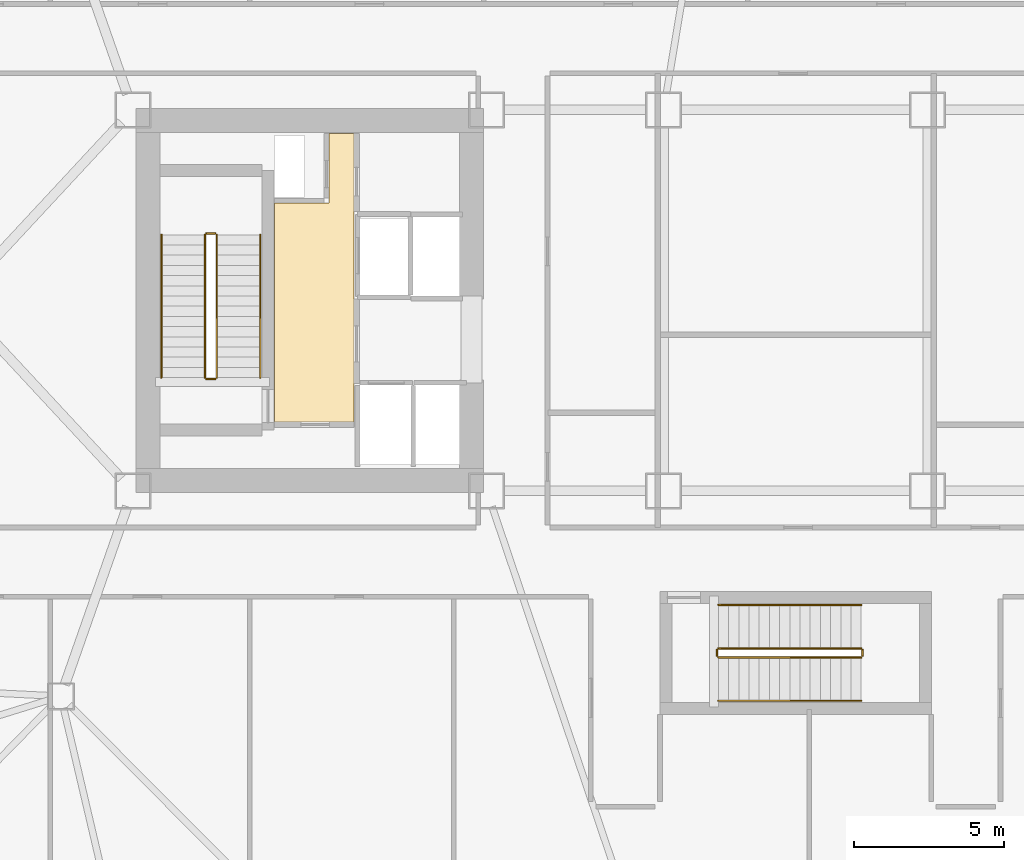
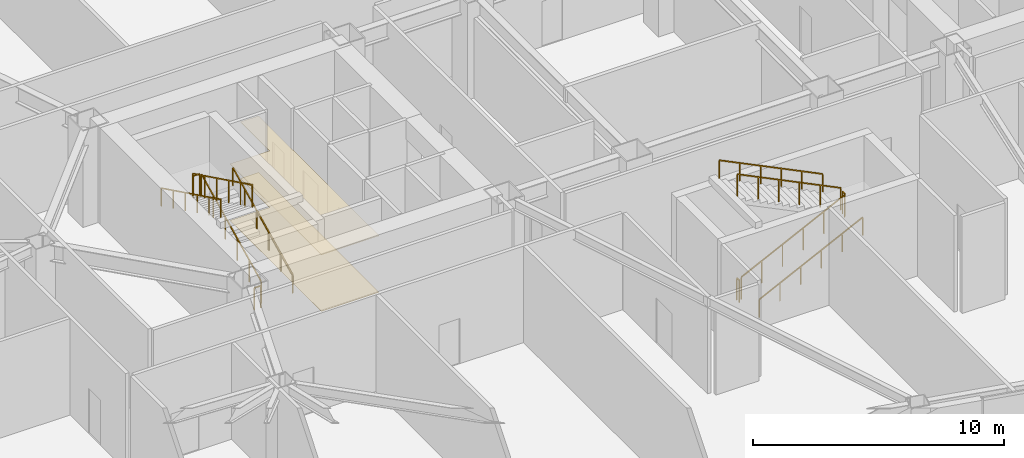
# One storey, part 19 of 20: 12 railings, 2 coverings.
"""IFC4 building model written with IfcOpenShell, lengths in metres."""

from ifc_helpers import new_model, si_unit, direction, frame, origin, origin_2d, place, context, subcontext, project, spatial, polyline, rectangle, outline, extrude, material, layer, layer_set, type_object, element, save


model = new_model("IFC4")

# Units and contexts
model_context = context("Model", 3, precision=1e-05, world=origin(), true_north=direction((0.0, 1.0)))
body_context = subcontext(model_context, "Body", "Model", "MODEL_VIEW")
ifc_project = project(units=[si_unit("LENGTHUNIT", "METRE"), si_unit("AREAUNIT", "SQUARE_METRE"), si_unit("VOLUMEUNIT", "CUBIC_METRE"), si_unit("PLANEANGLEUNIT", "RADIAN"), si_unit("MASSUNIT", "GRAM", prefix="KILO")], contexts=[model_context])

# Site, building, storey
site_placement = place(None, origin())
site = spatial("IfcSite", under=ifc_project, at=site_placement, CompositionType="ELEMENT")
building_placement = place(site_placement, origin())
building = spatial("IfcBuilding", under=site, at=building_placement, Name="Tavrogorsk Clinical Tower", CompositionType="ELEMENT")
storey_placement = place(building_placement, frame((0.0, 0.0, 18.39990234375)))
storey = spatial("IfcBuildingStorey", under=building, at=storey_placement, Name="L03", CompositionType="ELEMENT", Elevation=18.39990234375)

# Coverings
ifc_material_1 = material(Name="Antibacterial micro-perforated aluminium ceiling", Category="aluminium")
ifc_layer_1 = layer(ifc_material_1, 0.014892578125)
ifc_layer_set_1 = layer_set([ifc_layer_1], Name="Antibacterial micro-perforated aluminium ceiling")
covering_type_1 = type_object("IfcCoveringType", Name="ClinicalCeiling_15", PredefinedType="CEILING", material=ifc_layer_set_1)
covering_1_placement = place(storey_placement, frame((0.0, 0.0, 2.75)))
element("IfcCovering", 1, at=covering_1_placement, inside=storey, type_object=covering_type_1, Name="Core West Firefighting Lift Lobby Acoustic Ceiling", PredefinedType="CEILING", context=body_context, shape_type="SweptSolid", body=[
    extrude(outline(polyline([(-14.719970703125, 5.56005859375), (-14.719970703125, -4.06005859375), (-17.3798828125, -4.06005859375), (-17.3798828125, 3.239990234375), (-15.56005859375, 3.239990234375), (-15.56005859375, 5.56005859375), (-14.719970703125, 5.56005859375)])), origin(), (0.0, 0.0, 1.0), 0.01513671875),
])
ifc_material_2 = material(Name="Homogeneous medical conductive PVC flooring")
ifc_layer_2 = layer(ifc_material_2, 0.008056640625)
ifc_layer_set_2 = layer_set([ifc_layer_2], Name="Homogeneous medical conductive PVC flooring")
covering_type_2 = type_object("IfcCoveringType", Name="ResilientVinylFloor_8", PredefinedType="FLOORING", material=ifc_layer_set_2)
covering_2_placement = place(storey_placement, origin())
element("IfcCovering", 2, at=covering_2_placement, inside=storey, type_object=covering_type_2, Name="Core West Firefighting Lift Lobby Conductive Vinyl Flooring", PredefinedType="FLOORING", context=body_context, shape_type="SweptSolid", body=[
    extrude(outline(polyline([(-14.719970703125, 5.56005859375), (-14.719970703125, -4.06005859375), (-17.3798828125, -4.06005859375), (-17.3798828125, 3.239990234375), (-15.56005859375, 3.239990234375), (-15.56005859375, 5.56005859375), (-14.719970703125, 5.56005859375)])), origin(), (0.0, 0.0, 1.0), 0.008056640625),
])

# Railings
ifc_material_3 = material(Name="Galvanised steel S355 safety stairwell guard", Category="steel")
ifc_layer_3 = layer(ifc_material_3, 0.06005859375)
ifc_layer_set_3 = layer_set([ifc_layer_3], Name="Galvanised steel S355 safety stairwell guard")
railing_type_1 = type_object("IfcRailingType", Name="StairGuard_1150", PredefinedType="GUARDRAIL", material=ifc_layer_set_3)
railing_1_placement = place(storey_placement, frame((-19.300048828125, -2.574951171875, 0.166748046875)))
element("IfcRailing", 3, at=railing_1_placement, inside=storey, type_object=railing_type_1, Name="L03 ST-W stair guard 1", PredefinedType="GUARDRAIL", context=body_context, shape_type="SweptSolid", body=[
    extrude(rectangle(XDim=0.048095703125, YDim=0.048095703125, at=origin_2d()), frame((0.0, 0.0, 1.076171875), z_axis=(0.0, 0.897927146867, 0.440144111535), x_axis=(-1.0, 0.0, 0.0)), (0.0, 0.0, 1.0), 5.301025390625),
    extrude(rectangle(XDim=0.0419921875, YDim=0.0419921875, at=origin_2d()), origin(), (0.0, 0.0, 1.0), 1.052001953125),
    extrude(rectangle(XDim=0.0419921875, YDim=0.0419921875, at=origin_2d()), frame((0.0, 0.951904296875, 0.466552734375)), (0.0, 0.0, 1.0), 1.052001953125),
    extrude(rectangle(XDim=0.0419921875, YDim=0.0419921875, at=origin_2d()), frame((0.0, 1.904052734375, 0.933349609375)), (0.0, 0.0, 1.0), 1.052001953125),
    extrude(rectangle(XDim=0.0419921875, YDim=0.0419921875, at=origin_2d()), frame((0.0, 2.85595703125, 1.39990234375)), (0.0, 0.0, 1.0), 1.052001953125),
    extrude(rectangle(XDim=0.0419921875, YDim=0.0419921875, at=origin_2d()), frame((0.0, 3.80810546875, 1.86669921875)), (0.0, 0.0, 1.0), 1.052001953125),
    extrude(rectangle(XDim=0.0419921875, YDim=0.0419921875, at=origin_2d()), frame((0.0, 4.760009765625, 2.333251953125)), (0.0, 0.0, 1.0), 1.052001953125),
])
railing_2_placement = place(storey_placement, frame((-19.35009765625, 2.235107421875, 2.5)))
element("IfcRailing", 4, at=railing_2_placement, inside=storey, type_object=railing_type_1, Name="L03 ST-W stair guard 2", PredefinedType="GUARDRAIL", context=body_context, shape_type="SweptSolid", body=[
    extrude(rectangle(XDim=0.048095703125, YDim=0.048095703125, at=origin_2d()), frame((0.0, 0.0, 1.076171875), z_axis=(-1.0, 0.0, 0.0), x_axis=(0.0, -1.0, 0.0)), (0.0, 0.0, 1.0), 0.2998046875),
    extrude(rectangle(XDim=0.0419921875, YDim=0.0419921875, at=origin_2d()), origin(), (0.0, 0.0, 1.0), 1.052001953125),
    extrude(rectangle(XDim=0.0419921875, YDim=0.0419921875, at=origin_2d()), frame((-0.2998046875, 0.0, 0.0)), (0.0, 0.0, 1.0), 1.052001953125),
])
railing_3_placement = place(storey_placement, frame((-19.699951171875, 2.18505859375, 2.666748046875)))
element("IfcRailing", 5, at=railing_3_placement, inside=storey, type_object=railing_type_1, Name="L03 ST-W stair guard 3", PredefinedType="GUARDRAIL", context=body_context, shape_type="SweptSolid", body=[
    extrude(rectangle(XDim=0.048095703125, YDim=0.048095703125, at=origin_2d()), frame((0.0, 0.0, 1.076171875), z_axis=(0.0, -0.897927146867, 0.440144111535), x_axis=(1.0, 0.0, 0.0)), (0.0, 0.0, 1.0), 5.301025390625),
    extrude(rectangle(XDim=0.0419921875, YDim=0.0419921875, at=origin_2d()), origin(), (0.0, 0.0, 1.0), 1.052001953125),
    extrude(rectangle(XDim=0.0419921875, YDim=0.0419921875, at=origin_2d()), frame((0.0, -0.951904296875, 0.466552734375)), (0.0, 0.0, 1.0), 1.052001953125),
    extrude(rectangle(XDim=0.0419921875, YDim=0.0419921875, at=origin_2d()), frame((0.0, -1.904052734375, 0.933349609375)), (0.0, 0.0, 1.0), 1.052001953125),
    extrude(rectangle(XDim=0.0419921875, YDim=0.0419921875, at=origin_2d()), frame((0.0, -2.85595703125, 1.39990234375)), (0.0, 0.0, 1.0), 1.052001953125),
    extrude(rectangle(XDim=0.0419921875, YDim=0.0419921875, at=origin_2d()), frame((0.0, -3.80810546875, 1.86669921875)), (0.0, 0.0, 1.0), 1.052001953125),
    extrude(rectangle(XDim=0.0419921875, YDim=0.0419921875, at=origin_2d()), frame((0.0, -4.760009765625, 2.333251953125)), (0.0, 0.0, 1.0), 1.052001953125),
])
railing_4_placement = place(storey_placement, frame((-19.35009765625, -2.625, 0.0)))
element("IfcRailing", 6, at=railing_4_placement, inside=storey, type_object=railing_type_1, Name="L03 ST-W stair guard 4", PredefinedType="GUARDRAIL", context=body_context, shape_type="SweptSolid", body=[
    extrude(rectangle(XDim=0.048095703125, YDim=0.048095703125, at=origin_2d()), frame((0.0, 0.0, 1.076171875), z_axis=(-1.0, 0.0, 0.0), x_axis=(0.0, -1.0, 0.0)), (0.0, 0.0, 1.0), 0.2998046875),
    extrude(rectangle(XDim=0.0419921875, YDim=0.0419921875, at=origin_2d()), origin(), (0.0, 0.0, 1.0), 1.052001953125),
    extrude(rectangle(XDim=0.0419921875, YDim=0.0419921875, at=origin_2d()), frame((-0.2998046875, 0.0, 0.0)), (0.0, 0.0, 1.0), 1.052001953125),
])
railing_5_placement = place(storey_placement, frame((-2.574951171875, -11.89990234375, 0.166748046875)))
element("IfcRailing", 7, at=railing_5_placement, inside=storey, type_object=railing_type_1, Name="L03 ST-P stair guard 1", PredefinedType="GUARDRAIL", context=body_context, shape_type="SweptSolid", body=[
    extrude(rectangle(XDim=0.048095703125, YDim=0.048095703125, at=origin_2d()), frame((0.0, 0.0, 1.076171875), z_axis=(0.897927146867, 0.0, 0.440144111535), x_axis=(0.0, 1.0, 0.0)), (0.0, 0.0, 1.0), 5.301025390625),
    extrude(rectangle(XDim=0.0419921875, YDim=0.0419921875, at=origin_2d()), origin(), (0.0, 0.0, 1.0), 1.052001953125),
    extrude(rectangle(XDim=0.0419921875, YDim=0.0419921875, at=origin_2d()), frame((0.951904296875, 0.0, 0.466552734375)), (0.0, 0.0, 1.0), 1.052001953125),
    extrude(rectangle(XDim=0.0419921875, YDim=0.0419921875, at=origin_2d()), frame((1.904052734375, 0.0, 0.933349609375)), (0.0, 0.0, 1.0), 1.052001953125),
    extrude(rectangle(XDim=0.0419921875, YDim=0.0419921875, at=origin_2d()), frame((2.85595703125, 0.0, 1.39990234375)), (0.0, 0.0, 1.0), 1.052001953125),
    extrude(rectangle(XDim=0.0419921875, YDim=0.0419921875, at=origin_2d()), frame((3.80810546875, 0.0, 1.86669921875)), (0.0, 0.0, 1.0), 1.052001953125),
    extrude(rectangle(XDim=0.0419921875, YDim=0.0419921875, at=origin_2d()), frame((4.760009765625, 0.0, 2.333251953125)), (0.0, 0.0, 1.0), 1.052001953125),
])
railing_6_placement = place(storey_placement, frame((2.235107421875, -11.85009765625, 2.5)))
element("IfcRailing", 8, at=railing_6_placement, inside=storey, type_object=railing_type_1, Name="L03 ST-P stair guard 2", PredefinedType="GUARDRAIL", context=body_context, shape_type="SweptSolid", body=[
    extrude(rectangle(XDim=0.048095703125, YDim=0.048095703125, at=origin_2d()), frame((0.0, 0.0, 1.076171875), z_axis=(0.0, 1.0, 0.0), x_axis=(-1.0, 0.0, 0.0)), (0.0, 0.0, 1.0), 0.2001953125),
    extrude(rectangle(XDim=0.0419921875, YDim=0.0419921875, at=origin_2d()), origin(), (0.0, 0.0, 1.0), 1.052001953125),
    extrude(rectangle(XDim=0.0419921875, YDim=0.0419921875, at=origin_2d()), frame((0.0, 0.2001953125, 0.0)), (0.0, 0.0, 1.0), 1.052001953125),
])
railing_7_placement = place(storey_placement, frame((2.18505859375, -11.60009765625, 2.666748046875)))
element("IfcRailing", 9, at=railing_7_placement, inside=storey, type_object=railing_type_1, Name="L03 ST-P stair guard 3", PredefinedType="GUARDRAIL", context=body_context, shape_type="SweptSolid", body=[
    extrude(rectangle(XDim=0.048095703125, YDim=0.048095703125, at=origin_2d()), frame((0.0, 0.0, 1.076171875), z_axis=(-0.897927146867, 0.0, 0.440144111535), x_axis=(0.0, -1.0, 0.0)), (0.0, 0.0, 1.0), 5.301025390625),
    extrude(rectangle(XDim=0.0419921875, YDim=0.0419921875, at=origin_2d()), origin(), (0.0, 0.0, 1.0), 1.052001953125),
    extrude(rectangle(XDim=0.0419921875, YDim=0.0419921875, at=origin_2d()), frame((-0.951904296875, 0.0, 0.466552734375)), (0.0, 0.0, 1.0), 1.052001953125),
    extrude(rectangle(XDim=0.0419921875, YDim=0.0419921875, at=origin_2d()), frame((-1.904052734375, 0.0, 0.933349609375)), (0.0, 0.0, 1.0), 1.052001953125),
    extrude(rectangle(XDim=0.0419921875, YDim=0.0419921875, at=origin_2d()), frame((-2.85595703125, 0.0, 1.39990234375)), (0.0, 0.0, 1.0), 1.052001953125),
    extrude(rectangle(XDim=0.0419921875, YDim=0.0419921875, at=origin_2d()), frame((-3.80810546875, 0.0, 1.86669921875)), (0.0, 0.0, 1.0), 1.052001953125),
    extrude(rectangle(XDim=0.0419921875, YDim=0.0419921875, at=origin_2d()), frame((-4.760009765625, 0.0, 2.333251953125)), (0.0, 0.0, 1.0), 1.052001953125),
])
railing_8_placement = place(storey_placement, frame((-2.625, -11.85009765625, 0.0)))
element("IfcRailing", 10, at=railing_8_placement, inside=storey, type_object=railing_type_1, Name="L03 ST-P stair guard 4", PredefinedType="GUARDRAIL", context=body_context, shape_type="SweptSolid", body=[
    extrude(rectangle(XDim=0.048095703125, YDim=0.048095703125, at=origin_2d()), frame((0.0, 0.0, 1.076171875), z_axis=(0.0, 1.0, 0.0), x_axis=(-1.0, 0.0, 0.0)), (0.0, 0.0, 1.0), 0.2001953125),
    extrude(rectangle(XDim=0.0419921875, YDim=0.0419921875, at=origin_2d()), origin(), (0.0, 0.0, 1.0), 1.052001953125),
    extrude(rectangle(XDim=0.0419921875, YDim=0.0419921875, at=origin_2d()), frame((0.0, 0.2001953125, 0.0)), (0.0, 0.0, 1.0), 1.052001953125),
])
ifc_material_4 = material(Name="Stainless steel AISI 304 tubular handrail", Category="steel")
ifc_layer_4 = layer(ifc_material_4, 0.050048828125)
ifc_layer_set_4 = layer_set([ifc_layer_4], Name="Stainless steel AISI 304 tubular handrail")
railing_type_2 = type_object("IfcRailingType", Name="StairHandrail_920", PredefinedType="HANDRAIL", material=ifc_layer_set_4)
railing_9_placement = place(storey_placement, frame((-17.85009765625, -2.574951171875, 0.166748046875)))
element("IfcRailing", 11, at=railing_9_placement, inside=storey, type_object=railing_type_2, Name="L03 ST-W stair handrail 1", PredefinedType="HANDRAIL", context=body_context, shape_type="SweptSolid", body=[
    extrude(rectangle(XDim=0.048095703125, YDim=0.048095703125, at=origin_2d()), frame((0.0, 0.0, 0.8759765625), z_axis=(0.0, 0.897927146867, 0.440144111535), x_axis=(-1.0, 0.0, 0.0)), (0.0, 0.0, 1.0), 5.301025390625),
    extrude(rectangle(XDim=0.0419921875, YDim=0.0419921875, at=origin_2d()), origin(), (0.0, 0.0, 1.0), 0.851806640625),
    extrude(rectangle(XDim=0.0419921875, YDim=0.0419921875, at=origin_2d()), frame((0.0, 0.951904296875, 0.466552734375)), (0.0, 0.0, 1.0), 0.851806640625),
    extrude(rectangle(XDim=0.0419921875, YDim=0.0419921875, at=origin_2d()), frame((0.0, 1.904052734375, 0.933349609375)), (0.0, 0.0, 1.0), 0.851806640625),
    extrude(rectangle(XDim=0.0419921875, YDim=0.0419921875, at=origin_2d()), frame((0.0, 2.85595703125, 1.39990234375)), (0.0, 0.0, 1.0), 0.851806640625),
    extrude(rectangle(XDim=0.0419921875, YDim=0.0419921875, at=origin_2d()), frame((0.0, 3.80810546875, 1.86669921875)), (0.0, 0.0, 1.0), 0.851806640625),
    extrude(rectangle(XDim=0.0419921875, YDim=0.0419921875, at=origin_2d()), frame((0.0, 4.760009765625, 2.333251953125)), (0.0, 0.0, 1.0), 0.851806640625),
])
railing_10_placement = place(storey_placement, frame((-21.14990234375, 2.18505859375, 2.666748046875)))
element("IfcRailing", 12, at=railing_10_placement, inside=storey, type_object=railing_type_2, Name="L03 ST-W stair handrail 2", PredefinedType="HANDRAIL", context=body_context, shape_type="SweptSolid", body=[
    extrude(rectangle(XDim=0.048095703125, YDim=0.048095703125, at=origin_2d()), frame((0.0, 0.0, 0.8759765625), z_axis=(0.0, -0.897927146867, 0.440144111535), x_axis=(1.0, 0.0, 0.0)), (0.0, 0.0, 1.0), 5.301025390625),
    extrude(rectangle(XDim=0.0419921875, YDim=0.0419921875, at=origin_2d()), origin(), (0.0, 0.0, 1.0), 0.851806640625),
    extrude(rectangle(XDim=0.0419921875, YDim=0.0419921875, at=origin_2d()), frame((0.0, -0.951904296875, 0.466552734375)), (0.0, 0.0, 1.0), 0.851806640625),
    extrude(rectangle(XDim=0.0419921875, YDim=0.0419921875, at=origin_2d()), frame((0.0, -1.904052734375, 0.933349609375)), (0.0, 0.0, 1.0), 0.851806640625),
    extrude(rectangle(XDim=0.0419921875, YDim=0.0419921875, at=origin_2d()), frame((0.0, -2.85595703125, 1.39990234375)), (0.0, 0.0, 1.0), 0.851806640625),
    extrude(rectangle(XDim=0.0419921875, YDim=0.0419921875, at=origin_2d()), frame((0.0, -3.80810546875, 1.86669921875)), (0.0, 0.0, 1.0), 0.851806640625),
    extrude(rectangle(XDim=0.0419921875, YDim=0.0419921875, at=origin_2d()), frame((0.0, -4.760009765625, 2.333251953125)), (0.0, 0.0, 1.0), 0.851806640625),
])
railing_11_placement = place(storey_placement, frame((-2.574951171875, -13.35009765625, 0.166748046875)))
element("IfcRailing", 13, at=railing_11_placement, inside=storey, type_object=railing_type_2, Name="L03 ST-P stair handrail 1", PredefinedType="HANDRAIL", context=body_context, shape_type="SweptSolid", body=[
    extrude(rectangle(XDim=0.048095703125, YDim=0.048095703125, at=origin_2d()), frame((0.0, 0.0, 0.8759765625), z_axis=(0.897927146867, 0.0, 0.440144111535), x_axis=(0.0, 1.0, 0.0)), (0.0, 0.0, 1.0), 5.301025390625),
    extrude(rectangle(XDim=0.0419921875, YDim=0.0419921875, at=origin_2d()), origin(), (0.0, 0.0, 1.0), 0.851806640625),
    extrude(rectangle(XDim=0.0419921875, YDim=0.0419921875, at=origin_2d()), frame((0.951904296875, 0.0, 0.466552734375)), (0.0, 0.0, 1.0), 0.851806640625),
    extrude(rectangle(XDim=0.0419921875, YDim=0.0419921875, at=origin_2d()), frame((1.904052734375, 0.0, 0.933349609375)), (0.0, 0.0, 1.0), 0.851806640625),
    extrude(rectangle(XDim=0.0419921875, YDim=0.0419921875, at=origin_2d()), frame((2.85595703125, 0.0, 1.39990234375)), (0.0, 0.0, 1.0), 0.851806640625),
    extrude(rectangle(XDim=0.0419921875, YDim=0.0419921875, at=origin_2d()), frame((3.80810546875, 0.0, 1.86669921875)), (0.0, 0.0, 1.0), 0.851806640625),
    extrude(rectangle(XDim=0.0419921875, YDim=0.0419921875, at=origin_2d()), frame((4.760009765625, 0.0, 2.333251953125)), (0.0, 0.0, 1.0), 0.851806640625),
])
railing_12_placement = place(storey_placement, frame((2.18505859375, -10.14990234375, 2.666748046875)))
element("IfcRailing", 14, at=railing_12_placement, inside=storey, type_object=railing_type_2, Name="L03 ST-P stair handrail 2", PredefinedType="HANDRAIL", context=body_context, shape_type="SweptSolid", body=[
    extrude(rectangle(XDim=0.048095703125, YDim=0.048095703125, at=origin_2d()), frame((0.0, 0.0, 0.8759765625), z_axis=(-0.897927146867, 0.0, 0.440144111535), x_axis=(0.0, -1.0, 0.0)), (0.0, 0.0, 1.0), 5.301025390625),
    extrude(rectangle(XDim=0.0419921875, YDim=0.0419921875, at=origin_2d()), origin(), (0.0, 0.0, 1.0), 0.851806640625),
    extrude(rectangle(XDim=0.0419921875, YDim=0.0419921875, at=origin_2d()), frame((-0.951904296875, 0.0, 0.466552734375)), (0.0, 0.0, 1.0), 0.851806640625),
    extrude(rectangle(XDim=0.0419921875, YDim=0.0419921875, at=origin_2d()), frame((-1.904052734375, 0.0, 0.933349609375)), (0.0, 0.0, 1.0), 0.851806640625),
    extrude(rectangle(XDim=0.0419921875, YDim=0.0419921875, at=origin_2d()), frame((-2.85595703125, 0.0, 1.39990234375)), (0.0, 0.0, 1.0), 0.851806640625),
    extrude(rectangle(XDim=0.0419921875, YDim=0.0419921875, at=origin_2d()), frame((-3.80810546875, 0.0, 1.86669921875)), (0.0, 0.0, 1.0), 0.851806640625),
    extrude(rectangle(XDim=0.0419921875, YDim=0.0419921875, at=origin_2d()), frame((-4.760009765625, 0.0, 2.333251953125)), (0.0, 0.0, 1.0), 0.851806640625),
])

save(model, "model.ifc")
